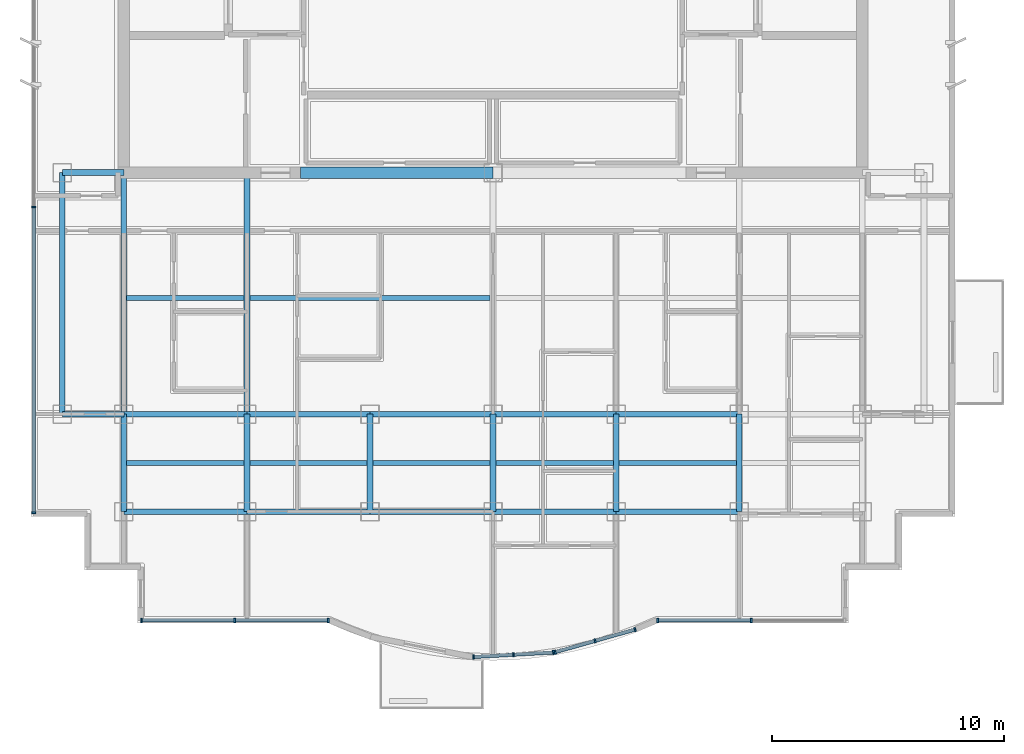
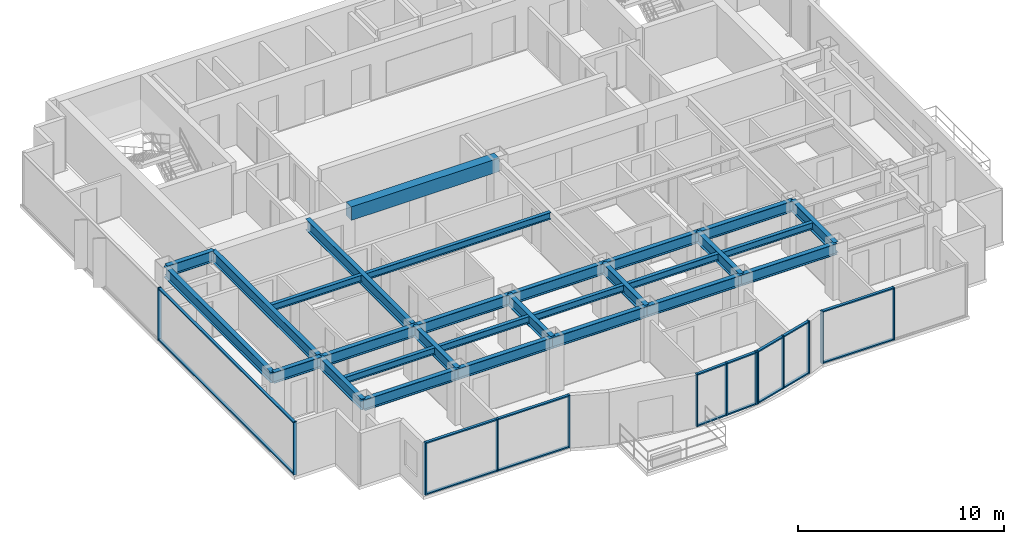
# One storey, part 2 of 11: 29 beams, 29 members, 5 elements without a shape of their own.
"""IFC4 building model written with IfcOpenShell, lengths in metres."""

from ifc_helpers import new_model, si_unit, direction, frame, origin, origin_2d, place, context, subcontext, project, spatial, rectangle, i_section, extrude, source, transform, mapped, material, layer, layer_set, material_profile, profile_set, type_object, element, aggregate, save


model = new_model("IFC4")

# Units and contexts
model_context = context("Model", 3, precision=1e-05, world=origin(), true_north=direction((0.0, 1.0)))
body_context = subcontext(model_context, "Body", "Model", "MODEL_VIEW")
ifc_project = project(units=[si_unit("LENGTHUNIT", "METRE"), si_unit("AREAUNIT", "SQUARE_METRE"), si_unit("VOLUMEUNIT", "CUBIC_METRE"), si_unit("PLANEANGLEUNIT", "RADIAN"), si_unit("MASSUNIT", "GRAM", prefix="KILO")], contexts=[model_context])

# Site, building, storey
site_placement = place(None, origin())
site = spatial("IfcSite", under=ifc_project, at=site_placement, CompositionType="ELEMENT")
building_placement = place(site_placement, origin())
building = spatial("IfcBuilding", under=site, at=building_placement, Name="Qianlan Lanfeng Residences", CompositionType="ELEMENT")
storey_placement = place(building_placement, frame((0.0, 0.0, 203.300048828125)))
storey = spatial("IfcBuildingStorey", under=building, at=storey_placement, Name="L55", CompositionType="ELEMENT", Elevation=203.300048828125)

# Beams
ifc_material_1 = material(Name="Steel SN490B", Category="steel")
ifc_material_profile_1 = material_profile(ifc_material_1, i_section(OverallWidth=0.25, OverallDepth=0.64990234375, WebThickness=0.012939453125, FlangeThickness=0.02197265625, at=origin_2d()), Name="H 650x250x13x22")
ifc_profile_set_1 = profile_set([ifc_material_profile_1], Name="Steel SN490B")
beam_type_1 = type_object("IfcBeamType", Name="G-650", PredefinedType="BEAM", material=ifc_profile_set_1)
beam_1_placement = place(storey_placement, frame((10.60009765625, 10.60009765625, 2.784912109375), z_axis=(1.0, 0.0, 0.0), x_axis=(0.0, 1.0, 0.0)))
element("IfcBeam", 1, at=beam_1_placement, inside=storey, type_object=beam_type_1, Name="Structural beam G-650", PredefinedType="BEAM", context=body_context, shape_type="SweptSolid", body=[
    extrude(i_section(OverallWidth=0.25, OverallDepth=0.64990234375, WebThickness=0.012939453125, FlangeThickness=0.02197265625, at=origin_2d()), origin(), (0.0, 0.0, 1.0), 5.2998046875),
])
for number, where, z_axis, x_axis, name in (
    (2, (15.89990234375, 10.60009765625, 2.784912109375), (1.0, 0.0, 0.0), (0.0, 1.0, 0.0), "Structural beam G-650"),
    (3, (21.199951171875, 10.60009765625, 2.784912109375), (1.0, 0.0, 0.0), (0.0, 1.0, 0.0), "Structural beam G-650"),
    (4, (26.5, 10.60009765625, 2.784912109375), (1.0, 0.0, 0.0), (0.0, 1.0, 0.0), "Structural beam G-650"),
    (5, (31.800048828125, 10.60009765625, 2.784912109375), (1.0, 0.0, 0.0), (0.0, 1.0, 0.0), "Structural beam G-650"),
):
    element("IfcBeam", number, at=place(storey_placement, frame(where, z_axis=z_axis, x_axis=x_axis)), inside=storey, type_object=beam_type_1, Name=name, PredefinedType="BEAM", context=body_context, shape_type="SweptSolid", body=[
        extrude(i_section(OverallWidth=0.25, OverallDepth=0.64990234375, WebThickness=0.012939453125, FlangeThickness=0.02197265625, at=origin_2d()), origin(), (0.0, 0.0, 1.0), 5.300048828125),
    ])
beam_2_placement = place(storey_placement, frame((7.949951171875, 14.800048828125, 2.784912109375), z_axis=(1.0, 0.0, 0.0), x_axis=(0.0, 1.0, 0.0)))
element("IfcBeam", 6, at=beam_2_placement, inside=storey, type_object=beam_type_1, Name="Structural beam G-650", PredefinedType="BEAM", context=body_context, shape_type="SweptSolid", body=[
    extrude(i_section(OverallWidth=0.25, OverallDepth=0.64990234375, WebThickness=0.012939453125, FlangeThickness=0.02197265625, at=origin_2d()), origin(), (0.0, 0.0, 1.0), 2.650146484375),
])
beam_3_placement = place(storey_placement, frame((10.60009765625, 14.800048828125, 2.784912109375), z_axis=(1.0, 0.0, 0.0), x_axis=(0.0, 1.0, 0.0)))
element("IfcBeam", 7, at=beam_3_placement, inside=storey, type_object=beam_type_1, Name="Structural beam G-650", PredefinedType="BEAM", context=body_context, shape_type="SweptSolid", body=[
    extrude(i_section(OverallWidth=0.25, OverallDepth=0.64990234375, WebThickness=0.012939453125, FlangeThickness=0.02197265625, at=origin_2d()), origin(), (0.0, 0.0, 1.0), 5.2998046875),
])
for number, where, z_axis, x_axis, name in (
    (8, (15.89990234375, 14.800048828125, 2.784912109375), (1.0, 0.0, 0.0), (0.0, 1.0, 0.0), "Structural beam G-650"),
    (9, (21.199951171875, 14.800048828125, 2.784912109375), (1.0, 0.0, 0.0), (0.0, 1.0, 0.0), "Structural beam G-650"),
    (10, (26.5, 14.800048828125, 2.784912109375), (1.0, 0.0, 0.0), (0.0, 1.0, 0.0), "Structural beam G-650"),
    (11, (31.800048828125, 14.800048828125, 2.784912109375), (1.0, 0.0, 0.0), (0.0, 1.0, 0.0), "Structural beam G-650"),
):
    element("IfcBeam", number, at=place(storey_placement, frame(where, z_axis=z_axis, x_axis=x_axis)), inside=storey, type_object=beam_type_1, Name=name, PredefinedType="BEAM", context=body_context, shape_type="SweptSolid", body=[
        extrude(i_section(OverallWidth=0.25, OverallDepth=0.64990234375, WebThickness=0.012939453125, FlangeThickness=0.02197265625, at=origin_2d()), origin(), (0.0, 0.0, 1.0), 5.300048828125),
    ])
beam_4_placement = place(storey_placement, frame((7.949951171875, 25.199951171875, 2.784912109375), z_axis=(1.0, 0.0, 0.0), x_axis=(0.0, 1.0, 0.0)))
element("IfcBeam", 12, at=beam_4_placement, inside=storey, type_object=beam_type_1, Name="Structural beam G-650", PredefinedType="BEAM", context=body_context, shape_type="SweptSolid", body=[
    extrude(i_section(OverallWidth=0.25, OverallDepth=0.64990234375, WebThickness=0.012939453125, FlangeThickness=0.02197265625, at=origin_2d()), origin(), (0.0, 0.0, 1.0), 2.650146484375),
])
beam_5_placement = place(storey_placement, frame((10.60009765625, 10.60009765625, 2.784912109375), z_axis=(0.0, 1.0, 0.0), x_axis=(-1.0, 0.0, 0.0)))
element("IfcBeam", 13, at=beam_5_placement, inside=storey, type_object=beam_type_1, Name="Structural beam G-650", PredefinedType="BEAM", context=body_context, shape_type="SweptSolid", body=[
    extrude(i_section(OverallWidth=0.25, OverallDepth=0.64990234375, WebThickness=0.012939453125, FlangeThickness=0.02197265625, at=origin_2d()), origin(), (0.0, 0.0, 1.0), 4.199951171875),
])
beam_6_placement = place(storey_placement, frame((10.60009765625, 14.800048828125, 2.784912109375), z_axis=(0.0, 1.0, 0.0), x_axis=(-1.0, 0.0, 0.0)))
element("IfcBeam", 14, at=beam_6_placement, inside=storey, type_object=beam_type_1, Name="Structural beam G-650", PredefinedType="BEAM", context=body_context, shape_type="SweptSolid", body=[
    extrude(i_section(OverallWidth=0.25, OverallDepth=0.64990234375, WebThickness=0.012939453125, FlangeThickness=0.02197265625, at=origin_2d()), origin(), (0.0, 0.0, 1.0), 10.39990234375),
])
beam_7_placement = place(storey_placement, frame((15.89990234375, 10.60009765625, 2.784912109375), z_axis=(0.0, 1.0, 0.0), x_axis=(-1.0, 0.0, 0.0)))
element("IfcBeam", 15, at=beam_7_placement, inside=storey, type_object=beam_type_1, Name="Structural beam G-650", PredefinedType="BEAM", context=body_context, shape_type="SweptSolid", body=[
    extrude(i_section(OverallWidth=0.25, OverallDepth=0.64990234375, WebThickness=0.012939453125, FlangeThickness=0.02197265625, at=origin_2d()), origin(), (0.0, 0.0, 1.0), 4.199951171875),
])
beam_8_placement = place(storey_placement, frame((15.89990234375, 14.800048828125, 2.784912109375), z_axis=(0.0, 1.0, 0.0), x_axis=(-1.0, 0.0, 0.0)))
element("IfcBeam", 16, at=beam_8_placement, inside=storey, type_object=beam_type_1, Name="Structural beam G-650", PredefinedType="BEAM", context=body_context, shape_type="SweptSolid", body=[
    extrude(i_section(OverallWidth=0.25, OverallDepth=0.64990234375, WebThickness=0.012939453125, FlangeThickness=0.02197265625, at=origin_2d()), origin(), (0.0, 0.0, 1.0), 10.39990234375),
])
for number, where, z_axis, x_axis, name in (
    (17, (21.199951171875, 10.60009765625, 2.784912109375), (0.0, 1.0, 0.0), (-1.0, 0.0, 0.0), "Structural beam G-650"),
    (18, (26.5, 10.60009765625, 2.784912109375), (0.0, 1.0, 0.0), (-1.0, 0.0, 0.0), "Structural beam G-650"),
    (19, (31.800048828125, 10.60009765625, 2.784912109375), (0.0, 1.0, 0.0), (-1.0, 0.0, 0.0), "Structural beam G-650"),
    (20, (37.10009765625, 10.60009765625, 2.784912109375), (0.0, 1.0, 0.0), (-1.0, 0.0, 0.0), "Structural beam G-650"),
):
    element("IfcBeam", number, at=place(storey_placement, frame(where, z_axis=z_axis, x_axis=x_axis)), inside=storey, type_object=beam_type_1, Name=name, PredefinedType="BEAM", context=body_context, shape_type="SweptSolid", body=[
        extrude(i_section(OverallWidth=0.25, OverallDepth=0.64990234375, WebThickness=0.012939453125, FlangeThickness=0.02197265625, at=origin_2d()), origin(), (0.0, 0.0, 1.0), 4.199951171875),
    ])
ifc_material_profile_2 = material_profile(ifc_material_1, i_section(OverallWidth=0.199951171875, OverallDepth=0.39990234375, WebThickness=0.008056640625, FlangeThickness=0.012939453125, at=origin_2d()), Name="H 400x200x8x13")
ifc_profile_set_2 = profile_set([ifc_material_profile_2], Name="Steel SN490B")
beam_type_2 = type_object("IfcBeamType", Name="J-400", PredefinedType="JOIST", material=ifc_profile_set_2)
beam_9_placement = place(storey_placement, frame((10.72509765625, 12.699951171875, 2.909912109375), z_axis=(1.0, 0.0, 0.0), x_axis=(0.0, 1.0, 0.0)))
element("IfcBeam", 21, at=beam_9_placement, inside=storey, type_object=beam_type_2, Name="Structural beam J-400", PredefinedType="JOIST", context=body_context, shape_type="SweptSolid", body=[
    extrude(i_section(OverallWidth=0.199951171875, OverallDepth=0.39990234375, WebThickness=0.008056640625, FlangeThickness=0.012939453125, at=origin_2d()), origin(), (0.0, 0.0, 1.0), 5.0498046875),
])
for number, where, z_axis, x_axis, name in (
    (22, (16.02490234375, 12.699951171875, 2.909912109375), (1.0, 0.0, 0.0), (0.0, 1.0, 0.0), "Structural beam J-400"),
    (23, (21.324951171875, 12.699951171875, 2.909912109375), (1.0, 0.0, 0.0), (0.0, 1.0, 0.0), "Structural beam J-400"),
    (24, (26.625, 12.699951171875, 2.909912109375), (1.0, 0.0, 0.0), (0.0, 1.0, 0.0), "Structural beam J-400"),
    (25, (31.925048828125, 12.699951171875, 2.909912109375), (1.0, 0.0, 0.0), (0.0, 1.0, 0.0), "Structural beam J-400"),
):
    element("IfcBeam", number, at=place(storey_placement, frame(where, z_axis=z_axis, x_axis=x_axis)), inside=storey, type_object=beam_type_2, Name=name, PredefinedType="JOIST", context=body_context, shape_type="SweptSolid", body=[
        extrude(i_section(OverallWidth=0.199951171875, OverallDepth=0.39990234375, WebThickness=0.008056640625, FlangeThickness=0.012939453125, at=origin_2d()), origin(), (0.0, 0.0, 1.0), 5.050048828125),
    ])
beam_10_placement = place(storey_placement, frame((10.72509765625, 19.800048828125, 2.909912109375), z_axis=(1.0, 0.0, 0.0), x_axis=(0.0, 1.0, 0.0)))
element("IfcBeam", 26, at=beam_10_placement, inside=storey, type_object=beam_type_2, Name="Structural beam J-400", PredefinedType="JOIST", context=body_context, shape_type="SweptSolid", body=[
    extrude(i_section(OverallWidth=0.199951171875, OverallDepth=0.39990234375, WebThickness=0.008056640625, FlangeThickness=0.012939453125, at=origin_2d()), origin(), (0.0, 0.0, 1.0), 5.0498046875),
])
beam_11_placement = place(storey_placement, frame((16.02490234375, 19.800048828125, 2.909912109375), z_axis=(1.0, 0.0, 0.0), x_axis=(0.0, 1.0, 0.0)))
element("IfcBeam", 27, at=beam_11_placement, inside=storey, type_object=beam_type_2, Name="Structural beam J-400", PredefinedType="JOIST", context=body_context, shape_type="SweptSolid", body=[
    extrude(i_section(OverallWidth=0.199951171875, OverallDepth=0.39990234375, WebThickness=0.008056640625, FlangeThickness=0.012939453125, at=origin_2d()), origin(), (0.0, 0.0, 1.0), 10.35009765625),
])
ifc_material_2 = material(Name="Concrete C49", Category="concrete")
ifc_material_profile_3 = material_profile(ifc_material_2, rectangle(XDim=0.5, YDim=0.800048828125, at=origin_2d()), Name="RC 500x800")
ifc_profile_set_3 = profile_set([ifc_material_profile_3], Name="Concrete C49")
beam_type_3 = type_object("IfcBeamType", Name="LB-RC750", PredefinedType="BEAM", material=ifc_profile_set_3)
beam_12_placement = place(storey_placement, frame((18.199951171875, 25.199951171875, 2.7099609375), z_axis=(1.0, 0.0, 0.0), x_axis=(0.0, 1.0, 0.0)))
element("IfcBeam", 28, at=beam_12_placement, inside=storey, type_object=beam_type_3, Name="L55 Core Coupling Beam W", PredefinedType="BEAM", context=body_context, shape_type="SweptSolid", body=[
    extrude(rectangle(XDim=0.5, YDim=0.800048828125, at=origin_2d()), origin(), (0.0, 0.0, 1.0), 8.300048828125),
])
ifc_material_profile_4 = material_profile(ifc_material_1, i_section(OverallWidth=0.25, OverallDepth=0.64990234375, WebThickness=0.012939453125, FlangeThickness=0.02197265625, at=origin_2d()), Name="H 650x250x13x22")
ifc_profile_set_4 = profile_set([ifc_material_profile_4], Name="Steel SN490B")
beam_type_4 = type_object("IfcBeamType", Name="SG-650", PredefinedType="SPANDREL", material=ifc_profile_set_4)
beam_13_placement = place(storey_placement, frame((7.949951171875, 14.800048828125, 2.764892578125), z_axis=(0.0, 1.0, 0.0), x_axis=(-1.0, 0.0, 0.0)))
element("IfcBeam", 29, at=beam_13_placement, inside=storey, type_object=beam_type_4, Name="Structural beam SG-650", PredefinedType="SPANDREL", context=body_context, shape_type="SweptSolid", body=[
    extrude(i_section(OverallWidth=0.25, OverallDepth=0.64990234375, WebThickness=0.012939453125, FlangeThickness=0.02197265625, at=origin_2d()), origin(), (0.0, 0.0, 1.0), 10.39990234375),
])

# Curtain wall, members
ifc_material_3 = material(Name="Anodised Bronze Aluminium 6063-T6", Category="aluminium")
ifc_layer = layer(ifc_material_3, 0.219970703125)
ifc_layer_set = layer_set([ifc_layer], Name="Anodised Bronze Aluminium 6063-T6")
curtain_wall_type = type_object("IfcCurtainWallType", Name="CW-05", PredefinedType="NOTDEFINED", material=ifc_layer_set)
curtain_wall_1_placement = place(storey_placement, origin())
curtain_wall_1 = element("IfcCurtainWall", 30, at=curtain_wall_1_placement, inside=storey, type_object=curtain_wall_type, Name="L55 Unitised Curtain Wall CWR-L55-01 (CW-05)", PredefinedType="NOTDEFINED")
ifc_material_profile_5 = material_profile(ifc_material_3, rectangle(XDim=0.074951171875, YDim=0.14990234375, at=origin_2d()), Name="ALU TRANSOM 75x150")
ifc_profile_set_5 = profile_set([ifc_material_profile_5], Name="Anodised Bronze Aluminium 6063-T6")
member_type_1 = type_object("IfcMemberType", Name="CWT-150", PredefinedType="USERDEFINED", material=ifc_profile_set_5)
shared_shape_1 = source(origin(), body_context, "Body", "SweptSolid", [
    extrude(rectangle(XDim=0.074951171875, YDim=0.14990234375, at=origin_2d()), origin(), (0.0, 0.0, 1.0), 3.949462890625),
])
member_1_placement = place(storey_placement, frame((11.39501953125, 5.919921875, 0.037353515625), z_axis=(1.0, 0.0, 0.0), x_axis=(0.0, 0.0, 1.0)))
member_1 = element("IfcMember", 31, at=member_1_placement, type_object=member_type_1, Name="CWR-L55-01 Transom 1-BOT", ObjectType="TRANSOM", PredefinedType="USERDEFINED", context=body_context, shape_type="MappedRepresentation", body=[
    mapped(shared_shape_1, transform((0.0, 0.0, 0.0), scale=1.0)),
])
member_2_placement = place(storey_placement, frame((11.39501953125, 5.919921875, 3.072509765625), z_axis=(1.0, 0.0, 0.0), x_axis=(0.0, 0.0, 1.0)))
member_2 = element("IfcMember", 32, at=member_2_placement, type_object=member_type_1, Name="CWR-L55-01 Transom 1-TOP", ObjectType="TRANSOM", PredefinedType="USERDEFINED", context=body_context, shape_type="MappedRepresentation", body=[
    mapped(shared_shape_1, transform((0.0, 0.0, 0.0), scale=1.0)),
])
member_3_placement = place(storey_placement, frame((15.41943359375, 5.919921875, 0.037353515625), z_axis=(1.0, 0.0, 0.0), x_axis=(0.0, 0.0, 1.0)))
member_3 = element("IfcMember", 33, at=member_3_placement, type_object=member_type_1, Name="CWR-L55-01 Transom 2-BOT", ObjectType="TRANSOM", PredefinedType="USERDEFINED", context=body_context, shape_type="MappedRepresentation", body=[
    mapped(shared_shape_1, transform((0.0, 0.0, 0.0), scale=1.0)),
])
member_4_placement = place(storey_placement, frame((15.41943359375, 5.919921875, 3.072509765625), z_axis=(1.0, 0.0, 0.0), x_axis=(0.0, 0.0, 1.0)))
member_4 = element("IfcMember", 34, at=member_4_placement, type_object=member_type_1, Name="CWR-L55-01 Transom 2-TOP", ObjectType="TRANSOM", PredefinedType="USERDEFINED", context=body_context, shape_type="MappedRepresentation", body=[
    mapped(shared_shape_1, transform((0.0, 0.0, 0.0), scale=1.0)),
])

curtain_wall_2_placement = place(storey_placement, origin())
curtain_wall_2 = element("IfcCurtainWall", 35, at=curtain_wall_2_placement, inside=storey, type_object=curtain_wall_type, Name="L55 Unitised Curtain Wall CWR-L55-04 (CW-05)", PredefinedType="NOTDEFINED")
member_5_placement = place(storey_placement, frame((33.631103515625, 5.919921875, 0.037353515625), z_axis=(1.0, 0.0, 0.0), x_axis=(0.0, 0.0, 1.0)))
member_5 = element("IfcMember", 36, at=member_5_placement, type_object=member_type_1, Name="CWR-L55-04 Transom 1-BOT", ObjectType="TRANSOM", PredefinedType="USERDEFINED", context=body_context, shape_type="MappedRepresentation", body=[
    mapped(shared_shape_1, transform((0.0, 0.0, 0.0), scale=1.0)),
])
member_6_placement = place(storey_placement, frame((33.631103515625, 5.919921875, 3.072509765625), z_axis=(1.0, 0.0, 0.0), x_axis=(0.0, 0.0, 1.0)))
member_6 = element("IfcMember", 37, at=member_6_placement, type_object=member_type_1, Name="CWR-L55-04 Transom 1-TOP", ObjectType="TRANSOM", PredefinedType="USERDEFINED", context=body_context, shape_type="MappedRepresentation", body=[
    mapped(shared_shape_1, transform((0.0, 0.0, 0.0), scale=1.0)),
])

curtain_wall_3_placement = place(storey_placement, origin())
curtain_wall_3 = element("IfcCurtainWall", 38, at=curtain_wall_3_placement, inside=storey, type_object=curtain_wall_type, Name="L55 Unitised Curtain Wall CWR-L55-05 (CW-05)", PredefinedType="NOTDEFINED")
shared_shape_2 = source(origin(), body_context, "Body", "SweptSolid", [
    extrude(rectangle(XDim=0.074951171875, YDim=0.14990234375, at=origin_2d()), origin(), (0.0, 0.0, 1.0), 13.092529296875),
])
member_7_placement = place(storey_placement, frame((6.719970703125, 23.6875, 0.037353515625), z_axis=(0.0, -1.0, 0.0), x_axis=(0.0, 0.0, 1.0)))
member_7 = element("IfcMember", 39, at=member_7_placement, type_object=member_type_1, Name="CWR-L55-05 Transom 2-BOT", ObjectType="TRANSOM", PredefinedType="USERDEFINED", context=body_context, shape_type="MappedRepresentation", body=[
    mapped(shared_shape_2, transform((0.0, 0.0, 0.0), scale=1.0)),
])
member_8_placement = place(storey_placement, frame((6.719970703125, 23.6875, 3.072509765625), z_axis=(0.0, -1.0, 0.0), x_axis=(0.0, 0.0, 1.0)))
member_8 = element("IfcMember", 40, at=member_8_placement, type_object=member_type_1, Name="CWR-L55-05 Transom 2-TOP", ObjectType="TRANSOM", PredefinedType="USERDEFINED", context=body_context, shape_type="MappedRepresentation", body=[
    mapped(shared_shape_2, transform((0.0, 0.0, 0.0), scale=1.0)),
])

# Member
ifc_material_profile_6 = material_profile(ifc_material_3, rectangle(XDim=0.074951171875, YDim=0.179931640625, at=origin_2d()), Name="ALU MULLION 75x180")
ifc_profile_set_6 = profile_set([ifc_material_profile_6], Name="Anodised Bronze Aluminium 6063-T6")
member_type_2 = type_object("IfcMemberType", Name="CWM-180", PredefinedType="MULLION", material=ifc_profile_set_6)
shared_shape_3 = source(origin(), body_context, "Body", "SweptSolid", [
    extrude(rectangle(XDim=0.074951171875, YDim=0.179931640625, at=origin_2d()), origin(), (0.0, 0.0, 1.0), 3.10986328125),
])
member_9_placement = place(storey_placement, frame((11.357421875, 5.919921875, 0.0), z_axis=(0.0, 0.0, 1.0), x_axis=(1.0, 0.0, 0.0)))
member_9 = element("IfcMember", 41, at=member_9_placement, type_object=member_type_2, Name="CWR-L55-01 Mullion 1", PredefinedType="MULLION", context=body_context, shape_type="MappedRepresentation", body=[
    mapped(shared_shape_3, transform((0.0, 0.0, 0.0), scale=1.0)),
])

member_10_placement = place(storey_placement, frame((15.382080078125, 5.919921875, 0.0), z_axis=(0.0, 0.0, 1.0), x_axis=(1.0, 0.0, 0.0)))
member_10 = element("IfcMember", 42, at=member_10_placement, type_object=member_type_2, Name="CWR-L55-01 Mullion 2", PredefinedType="MULLION", context=body_context, shape_type="MappedRepresentation", body=[
    mapped(shared_shape_3, transform((0.0, 0.0, 0.0), scale=1.0)),
])

member_11_placement = place(storey_placement, frame((19.406494140625, 5.919921875, 0.0), z_axis=(0.0, 0.0, 1.0), x_axis=(1.0, 0.0, 0.0)))
member_11 = element("IfcMember", 43, at=member_11_placement, type_object=member_type_2, Name="CWR-L55-01 Mullion 3", PredefinedType="MULLION", context=body_context, shape_type="MappedRepresentation", body=[
    mapped(shared_shape_3, transform((0.0, 0.0, 0.0), scale=1.0)),
])

aggregate(curtain_wall_1, [member_9, member_10, member_11, member_1, member_2, member_3, member_4])

# Curtain wall, members
curtain_wall_4_placement = place(storey_placement, origin())
curtain_wall_4 = element("IfcCurtainWall", 44, at=curtain_wall_4_placement, inside=storey, type_object=curtain_wall_type, Name="L55 Unitised Curtain Wall CWR-L55-02 (CW-05)", PredefinedType="NOTDEFINED")
member_12_placement = place(storey_placement, frame((25.659423828125, 4.34716796875, 0.0), z_axis=(0.0, 0.0, 1.0), x_axis=(0.998415428603, 0.056272834713, 0.0)))
member_12 = element("IfcMember", 45, at=member_12_placement, type_object=member_type_2, Name="CWR-L55-02 Mullion 1", PredefinedType="MULLION", context=body_context, shape_type="MappedRepresentation", body=[
    mapped(shared_shape_3, transform((0.0, 0.0, 0.0), scale=1.0)),
])
member_13_placement = place(storey_placement, frame((27.37841796875, 4.444091796875, 0.0), z_axis=(0.0, 0.0, 1.0), x_axis=(0.998415428603, 0.056272834713, 0.0)))
member_13 = element("IfcMember", 46, at=member_13_placement, type_object=member_type_2, Name="CWR-L55-02 Mullion 2", PredefinedType="MULLION", context=body_context, shape_type="MappedRepresentation", body=[
    mapped(shared_shape_3, transform((0.0, 0.0, 0.0), scale=1.0)),
])
member_14_placement = place(storey_placement, frame((29.09765625, 4.541015625, 0.0), z_axis=(0.0, 0.0, 1.0), x_axis=(0.998415428603, 0.056272834713, 0.0)))
member_14 = element("IfcMember", 47, at=member_14_placement, type_object=member_type_2, Name="CWR-L55-02 Mullion 3", PredefinedType="MULLION", context=body_context, shape_type="MappedRepresentation", body=[
    mapped(shared_shape_3, transform((0.0, 0.0, 0.0), scale=1.0)),
])

curtain_wall_5_placement = place(storey_placement, origin())
curtain_wall_5 = element("IfcCurtainWall", 48, at=curtain_wall_5_placement, inside=storey, type_object=curtain_wall_type, Name="L55 Unitised Curtain Wall CWR-L55-03 (CW-05)", PredefinedType="NOTDEFINED")
member_15_placement = place(storey_placement, frame((29.171142578125, 4.55322265625, 0.0), z_axis=(0.0, 0.0, 1.0), x_axis=(0.962284495419, 0.272045124705, 0.0)))
member_15 = element("IfcMember", 49, at=member_15_placement, type_object=member_type_2, Name="CWR-L55-03 Mullion 1", PredefinedType="MULLION", context=body_context, shape_type="MappedRepresentation", body=[
    mapped(shared_shape_3, transform((0.0, 0.0, 0.0), scale=1.0)),
])
member_16_placement = place(storey_placement, frame((30.89306640625, 5.0400390625, 0.0), z_axis=(0.0, 0.0, 1.0), x_axis=(0.962284495419, 0.272045124705, 0.0)))
member_16 = element("IfcMember", 50, at=member_16_placement, type_object=member_type_2, Name="CWR-L55-03 Mullion 2", PredefinedType="MULLION", context=body_context, shape_type="MappedRepresentation", body=[
    mapped(shared_shape_3, transform((0.0, 0.0, 0.0), scale=1.0)),
])
member_17_placement = place(storey_placement, frame((32.614990234375, 5.52685546875, 0.0), z_axis=(0.0, 0.0, 1.0), x_axis=(0.962284495419, 0.272045124705, 0.0)))
member_17 = element("IfcMember", 51, at=member_17_placement, type_object=member_type_2, Name="CWR-L55-03 Mullion 3", PredefinedType="MULLION", context=body_context, shape_type="MappedRepresentation", body=[
    mapped(shared_shape_3, transform((0.0, 0.0, 0.0), scale=1.0)),
])

# Member
member_18_placement = place(storey_placement, frame((33.593505859375, 5.919921875, 0.0), z_axis=(0.0, 0.0, 1.0), x_axis=(1.0, 0.0, 0.0)))
member_18 = element("IfcMember", 52, at=member_18_placement, type_object=member_type_2, Name="CWR-L55-04 Mullion 1", PredefinedType="MULLION", context=body_context, shape_type="MappedRepresentation", body=[
    mapped(shared_shape_3, transform((0.0, 0.0, 0.0), scale=1.0)),
])

member_19_placement = place(storey_placement, frame((37.617919921875, 5.919921875, 0.0), z_axis=(0.0, 0.0, 1.0), x_axis=(1.0, 0.0, 0.0)))
member_19 = element("IfcMember", 53, at=member_19_placement, type_object=member_type_2, Name="CWR-L55-04 Mullion 2", PredefinedType="MULLION", context=body_context, shape_type="MappedRepresentation", body=[
    mapped(shared_shape_3, transform((0.0, 0.0, 0.0), scale=1.0)),
])

aggregate(curtain_wall_2, [member_18, member_19, member_5, member_6])

member_20_placement = place(storey_placement, frame((6.719970703125, 23.72509765625, 0.0), z_axis=(0.0, 0.0, 1.0), x_axis=(0.0, -1.0, 0.0)))
member_20 = element("IfcMember", 54, at=member_20_placement, type_object=member_type_2, Name="CWR-L55-05 Mullion 2", PredefinedType="MULLION", context=body_context, shape_type="MappedRepresentation", body=[
    mapped(shared_shape_3, transform((0.0, 0.0, 0.0), scale=1.0)),
])

member_21_placement = place(storey_placement, frame((6.719970703125, 10.5576171875, 0.0), z_axis=(0.0, 0.0, 1.0), x_axis=(0.0, -1.0, 0.0)))
member_21 = element("IfcMember", 55, at=member_21_placement, type_object=member_type_2, Name="CWR-L55-05 Mullion 3", PredefinedType="MULLION", context=body_context, shape_type="MappedRepresentation", body=[
    mapped(shared_shape_3, transform((0.0, 0.0, 0.0), scale=1.0)),
])

aggregate(curtain_wall_3, [member_20, member_21, member_7, member_8])

shared_shape_4 = source(origin(), body_context, "Body", "SweptSolid", [
    extrude(rectangle(XDim=0.074951171875, YDim=0.14990234375, at=origin_2d()), origin(), (0.0, 0.0, 1.0), 1.646728515625),
])
member_22_placement = place(storey_placement, frame((25.697021484375, 4.34912109375, 0.037353515625), z_axis=(0.998411616838, 0.056340423879, 0.0), x_axis=(0.0, 0.0, 1.0)))
member_22 = element("IfcMember", 56, at=member_22_placement, type_object=member_type_1, Name="CWR-L55-02 Transom 1-BOT", ObjectType="TRANSOM", PredefinedType="USERDEFINED", context=body_context, shape_type="MappedRepresentation", body=[
    mapped(shared_shape_4, transform((0.0, 0.0, 0.0), scale=1.0)),
])

member_23_placement = place(storey_placement, frame((25.697021484375, 4.34912109375, 3.072509765625), z_axis=(0.998411616838, 0.056340423879, 0.0), x_axis=(0.0, 0.0, 1.0)))
member_23 = element("IfcMember", 57, at=member_23_placement, type_object=member_type_1, Name="CWR-L55-02 Transom 1-TOP", ObjectType="TRANSOM", PredefinedType="USERDEFINED", context=body_context, shape_type="MappedRepresentation", body=[
    mapped(shared_shape_4, transform((0.0, 0.0, 0.0), scale=1.0)),
])

member_24_placement = place(storey_placement, frame((27.416015625, 4.446044921875, 0.037353515625), z_axis=(0.998411616838, 0.056340423879, 0.0), x_axis=(0.0, 0.0, 1.0)))
member_24 = element("IfcMember", 58, at=member_24_placement, type_object=member_type_1, Name="CWR-L55-02 Transom 2-BOT", ObjectType="TRANSOM", PredefinedType="USERDEFINED", context=body_context, shape_type="MappedRepresentation", body=[
    mapped(shared_shape_4, transform((0.0, 0.0, 0.0), scale=1.0)),
])

member_25_placement = place(storey_placement, frame((27.416015625, 4.446044921875, 3.072509765625), z_axis=(0.998411616838, 0.056340423879, 0.0), x_axis=(0.0, 0.0, 1.0)))
member_25 = element("IfcMember", 59, at=member_25_placement, type_object=member_type_1, Name="CWR-L55-02 Transom 2-TOP", ObjectType="TRANSOM", PredefinedType="USERDEFINED", context=body_context, shape_type="MappedRepresentation", body=[
    mapped(shared_shape_4, transform((0.0, 0.0, 0.0), scale=1.0)),
])

aggregate(curtain_wall_4, [member_12, member_13, member_14, member_22, member_23, member_24, member_25])

shared_shape_5 = source(origin(), body_context, "Body", "SweptSolid", [
    extrude(rectangle(XDim=0.074951171875, YDim=0.14990234375, at=origin_2d()), origin(), (0.0, 0.0, 1.0), 1.71435546875),
])
member_26_placement = place(storey_placement, frame((29.207275390625, 4.5634765625, 0.037353515625), z_axis=(0.9622940071, 0.272011477514, 0.0), x_axis=(0.0, 0.0, 1.0)))
member_26 = element("IfcMember", 60, at=member_26_placement, type_object=member_type_1, Name="CWR-L55-03 Transom 1-BOT", ObjectType="TRANSOM", PredefinedType="USERDEFINED", context=body_context, shape_type="MappedRepresentation", body=[
    mapped(shared_shape_5, transform((0.0, 0.0, 0.0), scale=1.0)),
])

member_27_placement = place(storey_placement, frame((29.207275390625, 4.5634765625, 3.072509765625), z_axis=(0.9622940071, 0.272011477514, 0.0), x_axis=(0.0, 0.0, 1.0)))
member_27 = element("IfcMember", 61, at=member_27_placement, type_object=member_type_1, Name="CWR-L55-03 Transom 1-TOP", ObjectType="TRANSOM", PredefinedType="USERDEFINED", context=body_context, shape_type="MappedRepresentation", body=[
    mapped(shared_shape_5, transform((0.0, 0.0, 0.0), scale=1.0)),
])

member_28_placement = place(storey_placement, frame((30.92919921875, 5.05029296875, 0.037353515625), z_axis=(0.9622940071, 0.272011477514, 0.0), x_axis=(0.0, 0.0, 1.0)))
member_28 = element("IfcMember", 62, at=member_28_placement, type_object=member_type_1, Name="CWR-L55-03 Transom 2-BOT", ObjectType="TRANSOM", PredefinedType="USERDEFINED", context=body_context, shape_type="MappedRepresentation", body=[
    mapped(shared_shape_5, transform((0.0, 0.0, 0.0), scale=1.0)),
])

member_29_placement = place(storey_placement, frame((30.92919921875, 5.05029296875, 3.072509765625), z_axis=(0.9622940071, 0.272011477514, 0.0), x_axis=(0.0, 0.0, 1.0)))
member_29 = element("IfcMember", 63, at=member_29_placement, type_object=member_type_1, Name="CWR-L55-03 Transom 2-TOP", ObjectType="TRANSOM", PredefinedType="USERDEFINED", context=body_context, shape_type="MappedRepresentation", body=[
    mapped(shared_shape_5, transform((0.0, 0.0, 0.0), scale=1.0)),
])

aggregate(curtain_wall_5, [member_15, member_16, member_17, member_26, member_27, member_28, member_29])

save(model, "model.ifc")
